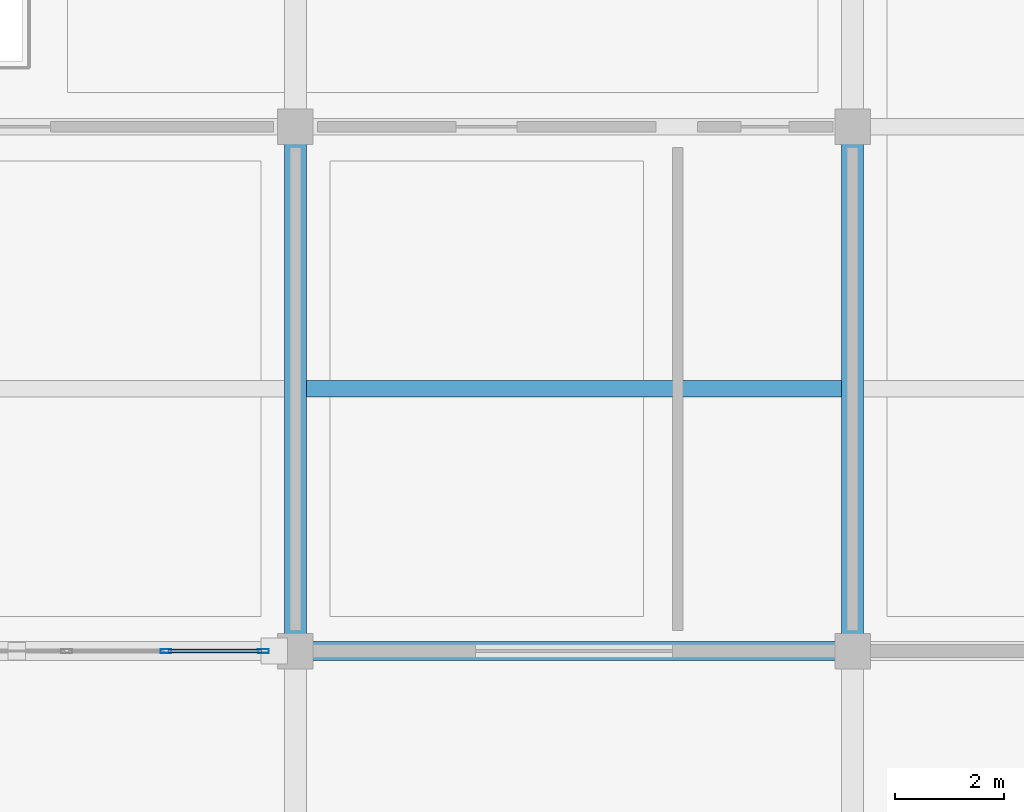
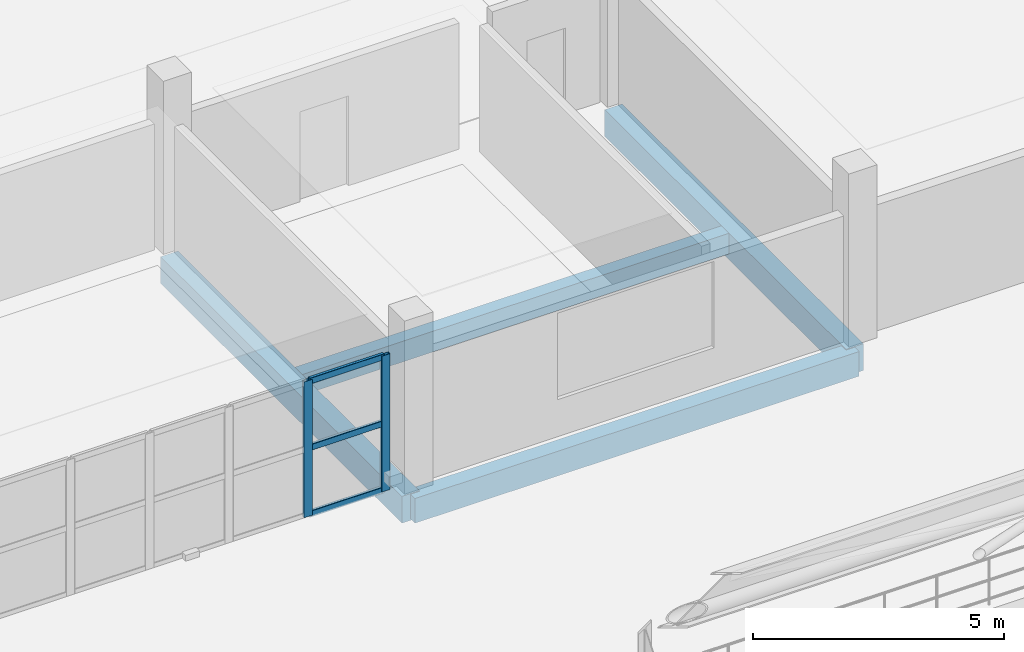
# One storey, part 36 of 135: 5 members, 4 beams, 1 element without a shape of its own.
"""IFC4 building model written with IfcOpenShell, lengths in metres."""

from ifc_helpers import new_model, si_unit, direction, frame, origin, origin_2d, place, context, subcontext, project, spatial, rectangle, hollow_rectangle, extrude, material, material_profile, profile_set, type_object, element, aggregate, save


model = new_model("IFC4")

# Units and contexts
model_context = context("Model", 3, precision=1e-05, world=origin(), true_north=direction((0.0, 1.0)))
body_context = subcontext(model_context, "Body", "Model", "MODEL_VIEW")
ifc_project = project(units=[si_unit("LENGTHUNIT", "METRE"), si_unit("AREAUNIT", "SQUARE_METRE"), si_unit("VOLUMEUNIT", "CUBIC_METRE"), si_unit("PLANEANGLEUNIT", "RADIAN"), si_unit("MASSUNIT", "GRAM", prefix="KILO")], contexts=[model_context])

# Site, building, storey
site_placement = place(None, origin())
site = spatial("IfcSite", under=ifc_project, at=site_placement, CompositionType="ELEMENT")
building_placement = place(site_placement, origin())
building = spatial("IfcBuilding", under=site, at=building_placement, Name="Brelvane Convention Centre", CompositionType="ELEMENT")
storey_placement = place(building_placement, frame((0.0, 0.0, 15.0)))
storey = spatial("IfcBuildingStorey", under=building, at=storey_placement, Name="L03", CompositionType="ELEMENT", Elevation=15.0)

# Curtain wall, members
ifc_material_1 = material(Name="Anodised Aluminium Alloy 6063-T6", Category="aluminium")
curtain_wall_type = type_object("IfcCurtainWallType", Name="Curtain Wall CW-COURT", PredefinedType="USERDEFINED", material=ifc_material_1)
curtain_wall_placement = place(storey_placement, origin())
curtain_wall = element("IfcCurtainWall", 1, at=curtain_wall_placement, inside=storey, type_object=curtain_wall_type, Name="Curtain Wall CW-COURT L03-V4S-05", ObjectType="UNITISED", PredefinedType="USERDEFINED")
ifc_material_2 = material(Name="Anodised Aluminium Alloy 6063-T6", Category="aluminium")
ifc_material_profile_1 = material_profile(ifc_material_2, hollow_rectangle(XDim=0.074951171875, YDim=0.199951171875, WallThickness=0.0048828125, InnerFilletRadius=0.0048828125, OuterFilletRadius=0.010009765625, at=origin_2d()), Name="ALU-M 200x75x5.0")
ifc_profile_set_1 = profile_set([ifc_material_profile_1], Name="Anodised Aluminium Alloy 6063-T6")
member_type_1 = type_object("IfcMemberType", Name="Curtain Mullion CW-M2", PredefinedType="MULLION", material=ifc_profile_set_1)
member_1_placement = place(storey_placement, frame((48.6298828125, 109.199951171875, 0.0), z_axis=(0.0, 0.0, 1.0), x_axis=(0.0, 1.0, 0.0)))
member_1 = element("IfcMember", 2, at=member_1_placement, type_object=member_type_1, Name="CW-COURT mullion 5", PredefinedType="MULLION", context=body_context, shape_type="SweptSolid", body=[
    extrude(hollow_rectangle(XDim=0.074951171875, YDim=0.199951171875, WallThickness=0.0048828125, InnerFilletRadius=0.0048828125, OuterFilletRadius=0.010009765625, at=origin_2d()), origin(), (0.0, 0.0, 1.0), 3.300048828125),
])
member_2_placement = place(storey_placement, frame((50.41259765625, 109.199951171875, 0.0), z_axis=(0.0, 0.0, 1.0), x_axis=(0.0, 1.0, 0.0)))
member_2 = element("IfcMember", 3, at=member_2_placement, type_object=member_type_1, Name="CW-COURT mullion 6", PredefinedType="MULLION", context=body_context, shape_type="SweptSolid", body=[
    extrude(hollow_rectangle(XDim=0.074951171875, YDim=0.199951171875, WallThickness=0.0048828125, InnerFilletRadius=0.0048828125, OuterFilletRadius=0.010009765625, at=origin_2d()), origin(), (0.0, 0.0, 1.0), 3.300048828125),
])
ifc_material_3 = material(Name="Anodised Aluminium Alloy 6063-T6", Category="aluminium")
ifc_material_profile_2 = material_profile(ifc_material_3, hollow_rectangle(XDim=0.070068359375, YDim=0.14990234375, WallThickness=0.00439453125, InnerFilletRadius=0.00439453125, OuterFilletRadius=0.009033203125, at=origin_2d()), Name="ALU-T 150x70x4.5")
ifc_profile_set_2 = profile_set([ifc_material_profile_2], Name="Anodised Aluminium Alloy 6063-T6")
member_type_2 = type_object("IfcMemberType", Name="Curtain Transom CW-T2", PredefinedType="USERDEFINED", material=ifc_profile_set_2)
member_3_placement = place(storey_placement, frame((48.66748046875, 109.199951171875, 0.034912109375), z_axis=(1.0, 0.0, 0.0), x_axis=(0.0, 1.0, 0.0)))
member_3 = element("IfcMember", 4, at=member_3_placement, type_object=member_type_2, Name="CW-COURT transom 5.1", ObjectType="TRANSOM", PredefinedType="USERDEFINED", context=body_context, shape_type="SweptSolid", body=[
    extrude(hollow_rectangle(XDim=0.070068359375, YDim=0.14990234375, WallThickness=0.00439453125, InnerFilletRadius=0.00439453125, OuterFilletRadius=0.009033203125, at=origin_2d()), origin(), (0.0, 0.0, 1.0), 1.70751953125),
])
member_4_placement = place(storey_placement, frame((48.66748046875, 109.199951171875, 1.64990234375), z_axis=(1.0, 0.0, 0.0), x_axis=(0.0, 1.0, 0.0)))
member_4 = element("IfcMember", 5, at=member_4_placement, type_object=member_type_2, Name="CW-COURT transom 5.2", ObjectType="TRANSOM", PredefinedType="USERDEFINED", context=body_context, shape_type="SweptSolid", body=[
    extrude(hollow_rectangle(XDim=0.070068359375, YDim=0.14990234375, WallThickness=0.00439453125, InnerFilletRadius=0.00439453125, OuterFilletRadius=0.009033203125, at=origin_2d()), origin(), (0.0, 0.0, 1.0), 1.70751953125),
])
member_5_placement = place(storey_placement, frame((48.66748046875, 109.199951171875, 3.264892578125), z_axis=(1.0, 0.0, 0.0), x_axis=(0.0, 1.0, 0.0)))
member_5 = element("IfcMember", 6, at=member_5_placement, type_object=member_type_2, Name="CW-COURT transom 5.3", ObjectType="TRANSOM", PredefinedType="USERDEFINED", context=body_context, shape_type="SweptSolid", body=[
    extrude(hollow_rectangle(XDim=0.070068359375, YDim=0.14990234375, WallThickness=0.00439453125, InnerFilletRadius=0.00439453125, OuterFilletRadius=0.009033203125, at=origin_2d()), origin(), (0.0, 0.0, 1.0), 1.70751953125),
])
aggregate(curtain_wall, [member_1, member_2, member_3, member_4, member_5])

# Beams
ifc_material_4 = material(Name="Concrete M40", Category="concrete")
ifc_material_profile_3 = material_profile(ifc_material_4, rectangle(XDim=0.39990234375, YDim=0.64990234375, at=origin_2d()), Name="RC 400x650")
ifc_profile_set_3 = profile_set([ifc_material_profile_3], Name="Concrete M40")
beam_type_1 = type_object("IfcBeamType", Name="RC Beam B-RC7 (RC 400x650)", PredefinedType="BEAM", material=ifc_profile_set_3)
for number, where, z_axis, x_axis, name in (
    (7, (51.0, 109.199951171875, -0.6201171875), (0.0, 1.0, 0.0), (-1.0, 0.0, 0.0), "L03 Girder 6/L-M"),
    (8, (61.199951171875, 109.199951171875, -0.6201171875), (0.0, 1.0, 0.0), (-1.0, 0.0, 0.0), "L03 Girder 7/L-M"),
):
    element("IfcBeam", number, at=place(storey_placement, frame(where, z_axis=z_axis, x_axis=x_axis)), inside=storey, type_object=beam_type_1, Name=name, PredefinedType="BEAM", context=body_context, shape_type="SweptSolid", body=[
        extrude(rectangle(XDim=0.39990234375, YDim=0.64990234375, at=origin_2d()), origin(), (0.0, 0.0, 1.0), 9.60009765625),
    ])
ifc_material_5 = material(Name="Concrete M40", Category="concrete")
ifc_material_profile_4 = material_profile(ifc_material_5, rectangle(XDim=0.300048828125, YDim=0.5, at=origin_2d()), Name="RC 300x500")
ifc_profile_set_4 = profile_set([ifc_material_profile_4], Name="Concrete M40")
beam_type_2 = type_object("IfcBeamType", Name="RC Joist J-RC2 (RC 300x500)", PredefinedType="JOIST", material=ifc_profile_set_4)
beam_1_placement = place(storey_placement, frame((51.199951171875, 114.0, -0.544921875), z_axis=(1.0, 0.0, 0.0), x_axis=(0.0, 1.0, 0.0)))
element("IfcBeam", 9, at=beam_1_placement, inside=storey, type_object=beam_type_2, Name="L03 Secondary Joist 6-7/LM", PredefinedType="JOIST", context=body_context, shape_type="SweptSolid", body=[
    extrude(rectangle(XDim=0.300048828125, YDim=0.5, at=origin_2d()), origin(), (0.0, 0.0, 1.0), 9.800048828125),
])
ifc_material_6 = material(Name="Concrete M40", Category="concrete")
ifc_material_profile_5 = material_profile(ifc_material_6, rectangle(XDim=0.35009765625, YDim=0.60009765625, at=origin_2d()), Name="RC 350x600")
ifc_profile_set_5 = profile_set([ifc_material_profile_5], Name="Concrete M40")
beam_type_3 = type_object("IfcBeamType", Name="RC Spandrel SP-RC2 (RC 350x600)", PredefinedType="SPANDREL", material=ifc_profile_set_5)
beam_2_placement = place(storey_placement, frame((51.0, 109.199951171875, -0.610107421875), z_axis=(1.0, 0.0, 0.0), x_axis=(0.0, 1.0, 0.0)))
element("IfcBeam", 10, at=beam_2_placement, inside=storey, type_object=beam_type_3, Name="L03 Beam 6-7/L", PredefinedType="SPANDREL", context=body_context, shape_type="SweptSolid", body=[
    extrude(rectangle(XDim=0.35009765625, YDim=0.60009765625, at=origin_2d()), origin(), (0.0, 0.0, 1.0), 10.199951171875),
])

save(model, "model.ifc")
